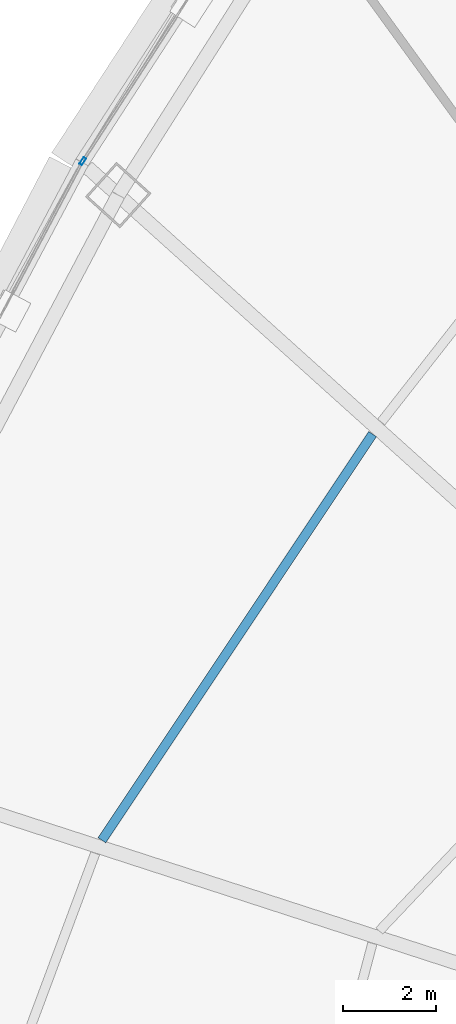
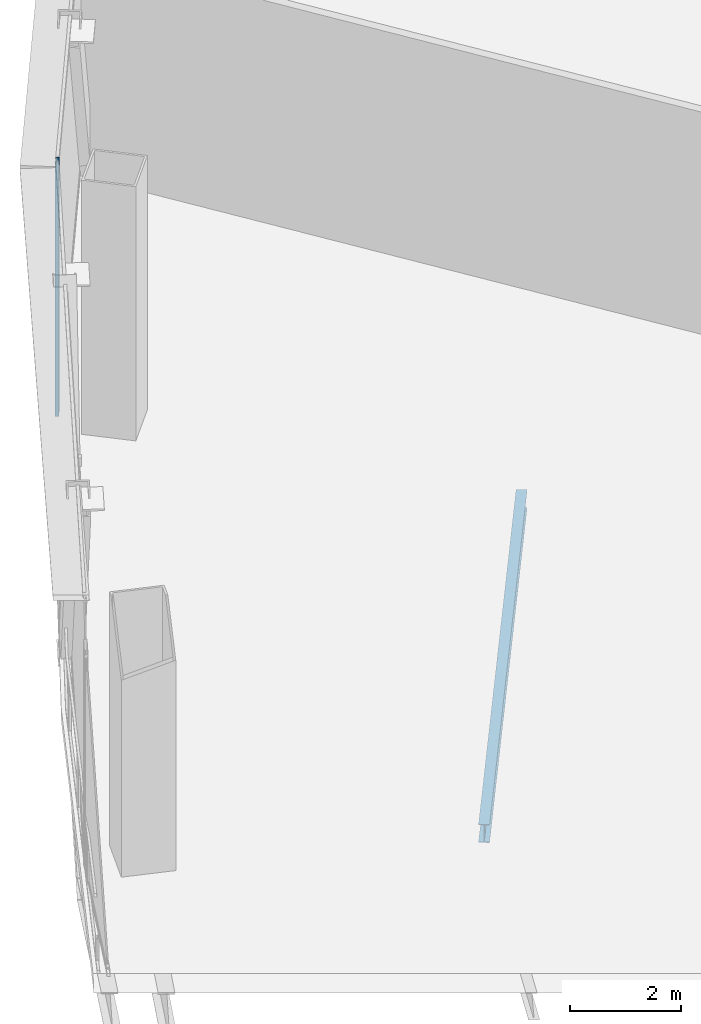
# One storey, part 15 of 36: 1 beam, 1 member, 1 element without a shape of its own.
"""IFC4 building model written with IfcOpenShell, lengths in metres."""

from ifc_helpers import new_model, si_unit, direction, frame, origin, origin_2d, place, context, subcontext, project, spatial, hollow_rectangle, i_section, extrude, source, transform, mapped, material, layer, layer_set, material_profile, profile_set, type_object, element, aggregate, save


model = new_model("IFC4")

# Units and contexts
model_context = context("Model", 3, precision=1e-05, world=origin(), true_north=direction((0.0, 1.0)))
body_context = subcontext(model_context, "Body", "Model", "MODEL_VIEW")
ifc_project = project(units=[si_unit("LENGTHUNIT", "METRE"), si_unit("AREAUNIT", "SQUARE_METRE"), si_unit("VOLUMEUNIT", "CUBIC_METRE"), si_unit("PLANEANGLEUNIT", "RADIAN"), si_unit("MASSUNIT", "GRAM", prefix="KILO"), si_unit("THERMODYNAMICTEMPERATUREUNIT", "KELVIN"), si_unit("POWERUNIT", "WATT")], contexts=[model_context])

# Site, building, storey
site_placement = place(None, origin())
site = spatial("IfcSite", under=ifc_project, at=site_placement, CompositionType="ELEMENT")
building_placement = place(site_placement, origin())
building = spatial("IfcBuilding", under=site, at=building_placement, Name="Yunzhuo Pagoda Commons", CompositionType="ELEMENT")
storey_placement = place(building_placement, frame((0.0, 0.0, 119.179931640625)))
storey = spatial("IfcBuildingStorey", under=building, at=storey_placement, Name="L30", CompositionType="ELEMENT", Elevation=119.179931640625)

# Beam
ifc_material_1 = material(Name="Structural steel Q355B", Category="steel")
ifc_material_profile_1 = material_profile(ifc_material_1, i_section(OverallWidth=0.199951171875, OverallDepth=0.39990234375, WebThickness=0.008056640625, FlangeThickness=0.012939453125, at=origin_2d()), Name="Structural steel Q355B")
ifc_profile_set_1 = profile_set([ifc_material_profile_1], Name="Structural steel Q355B")
beam_type = type_object("IfcBeamType", Name="B-JS1 Joist HN 400x200x8x13", PredefinedType="JOIST", material=ifc_profile_set_1)
shared_shape_1 = source(origin(), body_context, "Body", "SweptSolid", [
    extrude(i_section(OverallWidth=0.199951171875, OverallDepth=0.39990234375, WebThickness=0.008056640625, FlangeThickness=0.012939453125, at=origin_2d()), origin(), (0.0, 0.0, 1.0), 10.50537109375),
])
beam_placement = place(storey_placement, frame((28.871826171875, 50.711181640625, -0.47998046875), z_axis=(-0.554523204193, -0.832168261839, 0.0), x_axis=(0.832168261839, -0.554523204193, 0.0)))
element("IfcBeam", 1, at=beam_placement, inside=storey, type_object=beam_type, Name="L30 composite ring joist 2.10", PredefinedType="JOIST", context=body_context, shape_type="MappedRepresentation", body=[
    mapped(shared_shape_1, transform((0.0, 0.0, 0.0), scale=1.0)),
])

# Curtain wall, member
ifc_material_2 = material(Name="Anodized aluminium 6063-T6", Category="aluminium")
ifc_layer = layer(ifc_material_2, 0.1650390625)
ifc_layer_set = layer_set([ifc_layer], Name="Anodized aluminium 6063-T6")
curtain_wall_type = type_object("IfcCurtainWallType", Name="CW-LOW Low-Zone Ribbon Curtain Wall", PredefinedType="NOTDEFINED", material=ifc_layer_set)
curtain_wall_placement = place(storey_placement, origin())
curtain_wall = element("IfcCurtainWall", 2, at=curtain_wall_placement, inside=storey, type_object=curtain_wall_type, Name="L30 curtain wall CW-L30-F3B2", PredefinedType="NOTDEFINED")
ifc_material_profile_2 = material_profile(ifc_material_2, hollow_rectangle(XDim=0.06494140625, YDim=0.1650390625, WallThickness=0.00390625, at=origin_2d()), Name="Anodized aluminium 6063-T6")
ifc_profile_set_2 = profile_set([ifc_material_profile_2], Name="Anodized aluminium 6063-T6")
member_type = type_object("IfcMemberType", Name="CW-LOW-M Mullion RHS 165x65x4", PredefinedType="MULLION", material=ifc_profile_set_2)
shared_shape_2 = source(origin(), body_context, "Body", "SweptSolid", [
    extrude(hollow_rectangle(XDim=0.06494140625, YDim=0.1650390625, WallThickness=0.00390625, at=origin_2d()), origin(), (0.0, 0.0, 1.0), 5.570068359375),
])
member_placement = place(storey_placement, frame((22.634765625, 56.582275390625, 0.0), z_axis=(0.0, 0.0, 1.0), x_axis=(0.839174657882, -0.543862017031, 0.0)))
member = element("IfcMember", 3, at=member_placement, type_object=member_type, Name="CW mullion 2", PredefinedType="MULLION", context=body_context, shape_type="MappedRepresentation", body=[
    mapped(shared_shape_2, transform((0.0, 0.0, 0.0), scale=1.0)),
])
aggregate(curtain_wall, [member])

save(model, "model.ifc")
